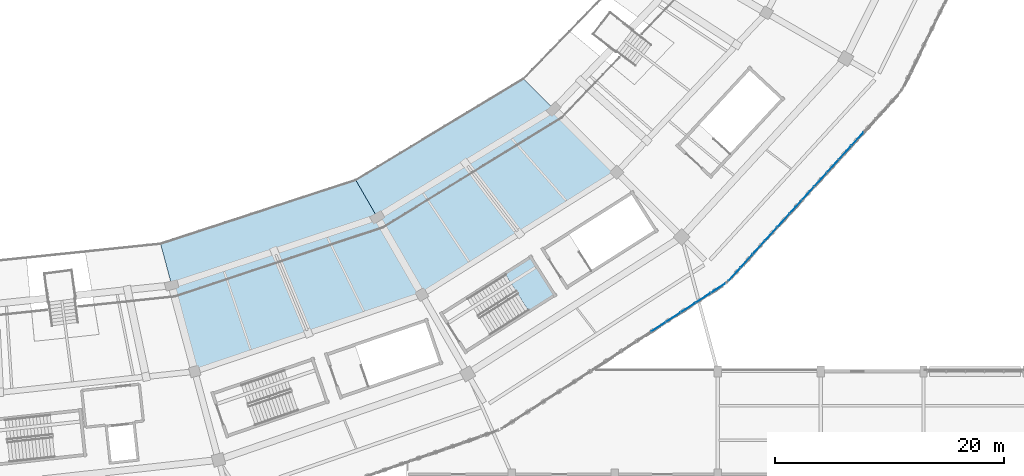
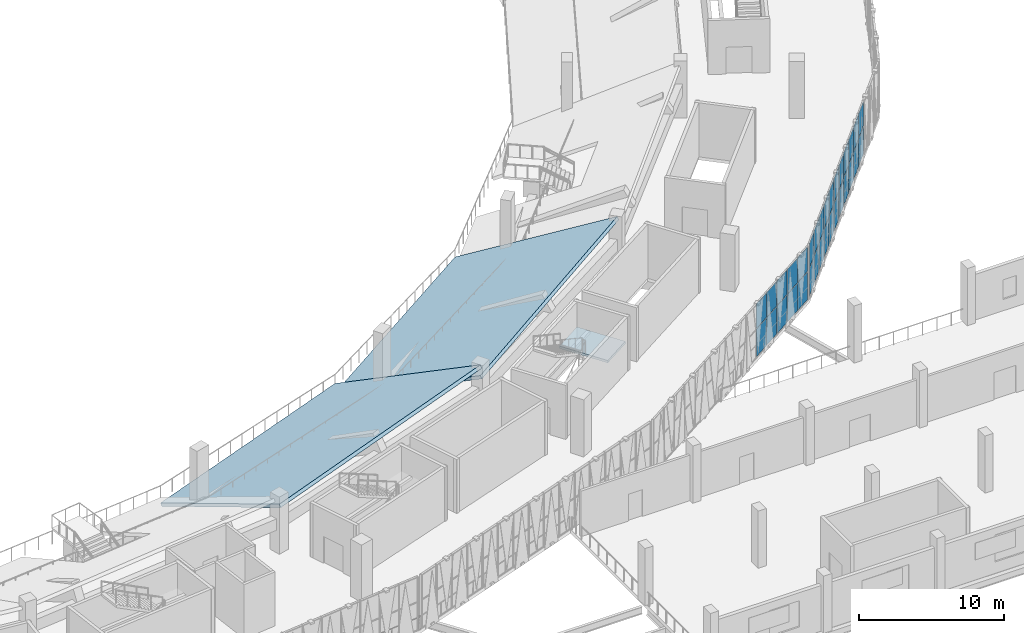
# One storey, part 78 of 152: 32 plates, 3 slabs, 3 elements without a shape of their own.
"""IFC4 building model written with IfcOpenShell, lengths in metres."""

from ifc_helpers import new_model, si_unit, direction, frame, origin, origin_2d, place, context, subcontext, project, spatial, polyline, rectangle, outline, extrude, material, layer, layer_set, type_object, element, aggregate, save


model = new_model("IFC4")

# Units and contexts
model_context = context("Model", 3, precision=1e-05, world=origin(), true_north=direction((0.0, 1.0)))
body_context = subcontext(model_context, "Body", "Model", "MODEL_VIEW")
ifc_project = project(units=[si_unit("LENGTHUNIT", "METRE"), si_unit("AREAUNIT", "SQUARE_METRE"), si_unit("VOLUMEUNIT", "CUBIC_METRE"), si_unit("PLANEANGLEUNIT", "RADIAN"), si_unit("MASSUNIT", "GRAM", prefix="KILO")], contexts=[model_context])

# Site, building, storey
site_placement = place(None, origin())
site = spatial("IfcSite", under=ifc_project, at=site_placement, CompositionType="ELEMENT")
building_placement = place(site_placement, origin())
building = spatial("IfcBuilding", under=site, at=building_placement, Name="Zevraka Park Crest Stadium", CompositionType="ELEMENT")
storey_placement = place(building_placement, frame((0.0, 0.0, 15.0)))
storey = spatial("IfcBuildingStorey", under=building, at=storey_placement, Name="L03", CompositionType="ELEMENT", Elevation=15.0)

# Curtain wall, plates
ifc_material_1 = material(Name="Anodised architectural aluminium and laminated safety glass", Category="aluminium")
curtain_wall_type = type_object("IfcCurtainWallType", Name="CW13", PredefinedType="NOTDEFINED", material=ifc_material_1)
curtain_wall_1_placement = place(storey_placement, origin())
curtain_wall_1 = element("IfcCurtainWall", 1, at=curtain_wall_1_placement, inside=storey, type_object=curtain_wall_type, Name="Unitised Ring Curtain Wall CW13 L03-20", PredefinedType="NOTDEFINED")
ifc_material_2 = material(Name="Solar-control laminated double glazing", Category="glass")
ifc_layer_1 = layer(ifc_material_2, 0.031982421875)
ifc_layer_set_1 = layer_set([ifc_layer_1], Name="Solar-control laminated double glazing")
plate_type = type_object("IfcPlateType", Name="CP13", PredefinedType="CURTAIN_PANEL", material=ifc_layer_set_1)
plate_1_placement = place(storey_placement, frame((173.826904296875, 30.89892578125, 0.06005859375), z_axis=(0.0, 0.0, 1.0), x_axis=(0.839429134517, 0.543469160232, 0.0)))
plate_1 = element("IfcPlate", 2, at=plate_1_placement, type_object=plate_type, Name="CW13 panel 11.1", PredefinedType="CURTAIN_PANEL", context=body_context, shape_type="SweptSolid", body=[
    extrude(rectangle(XDim=1.500244140625, YDim=0.031982421875, at=origin_2d()), origin(), (0.0, 0.0, 1.0), 2.31005859375),
])
plate_2_placement = place(storey_placement, frame((173.826904296875, 30.89892578125, 2.43017578125), z_axis=(0.0, 0.0, 1.0), x_axis=(0.839429134517, 0.543469160232, 0.0)))
plate_2 = element("IfcPlate", 3, at=plate_2_placement, type_object=plate_type, Name="CW13 panel 11.2", PredefinedType="CURTAIN_PANEL", context=body_context, shape_type="SweptSolid", body=[
    extrude(rectangle(XDim=1.500244140625, YDim=0.031982421875, at=origin_2d()), origin(), (0.0, 0.0, 1.0), 2.050048828125),
])
plate_3_placement = place(storey_placement, frame((175.13671875, 31.7470703125, 0.06005859375), z_axis=(0.0, 0.0, 1.0), x_axis=(0.839429134517, 0.543469160232, 0.0)))
plate_3 = element("IfcPlate", 4, at=plate_3_placement, type_object=plate_type, Name="CW13 panel 12.1", PredefinedType="CURTAIN_PANEL", context=body_context, shape_type="SweptSolid", body=[
    extrude(rectangle(XDim=1.500244140625, YDim=0.031982421875, at=origin_2d()), origin(), (0.0, 0.0, 1.0), 2.31005859375),
])
plate_4_placement = place(storey_placement, frame((175.13671875, 31.7470703125, 2.43017578125), z_axis=(0.0, 0.0, 1.0), x_axis=(0.839429134517, 0.543469160232, 0.0)))
plate_4 = element("IfcPlate", 5, at=plate_4_placement, type_object=plate_type, Name="CW13 panel 12.2", PredefinedType="CURTAIN_PANEL", context=body_context, shape_type="SweptSolid", body=[
    extrude(rectangle(XDim=1.500244140625, YDim=0.031982421875, at=origin_2d()), origin(), (0.0, 0.0, 1.0), 2.050048828125),
])
plate_5_placement = place(storey_placement, frame((176.446533203125, 32.594970703125, 0.06005859375), z_axis=(0.0, 0.0, 1.0), x_axis=(0.839429134517, 0.543469160232, 0.0)))
plate_5 = element("IfcPlate", 6, at=plate_5_placement, type_object=plate_type, Name="CW13 panel 13.1", PredefinedType="CURTAIN_PANEL", context=body_context, shape_type="SweptSolid", body=[
    extrude(rectangle(XDim=1.500244140625, YDim=0.031982421875, at=origin_2d()), origin(), (0.0, 0.0, 1.0), 2.31005859375),
])
plate_6_placement = place(storey_placement, frame((176.446533203125, 32.594970703125, 2.43017578125), z_axis=(0.0, 0.0, 1.0), x_axis=(0.839429134517, 0.543469160232, 0.0)))
plate_6 = element("IfcPlate", 7, at=plate_6_placement, type_object=plate_type, Name="CW13 panel 13.2", PredefinedType="CURTAIN_PANEL", context=body_context, shape_type="SweptSolid", body=[
    extrude(rectangle(XDim=1.500244140625, YDim=0.031982421875, at=origin_2d()), origin(), (0.0, 0.0, 1.0), 2.050048828125),
])
plate_7_placement = place(storey_placement, frame((177.75634765625, 33.443115234375, 0.06005859375), z_axis=(0.0, 0.0, 1.0), x_axis=(0.839429134517, 0.543469160232, 0.0)))
plate_7 = element("IfcPlate", 8, at=plate_7_placement, type_object=plate_type, Name="CW13 panel 14.1", PredefinedType="CURTAIN_PANEL", context=body_context, shape_type="SweptSolid", body=[
    extrude(rectangle(XDim=1.500244140625, YDim=0.031982421875, at=origin_2d()), origin(), (0.0, 0.0, 1.0), 2.31005859375),
])
plate_8_placement = place(storey_placement, frame((177.75634765625, 33.443115234375, 2.43017578125), z_axis=(0.0, 0.0, 1.0), x_axis=(0.839429134517, 0.543469160232, 0.0)))
plate_8 = element("IfcPlate", 9, at=plate_8_placement, type_object=plate_type, Name="CW13 panel 14.2", PredefinedType="CURTAIN_PANEL", context=body_context, shape_type="SweptSolid", body=[
    extrude(rectangle(XDim=1.500244140625, YDim=0.031982421875, at=origin_2d()), origin(), (0.0, 0.0, 1.0), 2.050048828125),
])
plate_9_placement = place(storey_placement, frame((179.053466796875, 34.282958984375, 0.06005859375), z_axis=(0.0, 0.0, 1.0), x_axis=(0.839429134517, 0.543469160232, 0.0)))
plate_9 = element("IfcPlate", 10, at=plate_9_placement, type_object=plate_type, Name="CW13 panel 15.1", PredefinedType="CURTAIN_PANEL", context=body_context, shape_type="SweptSolid", body=[
    extrude(rectangle(XDim=1.470458984375, YDim=0.031982421875, at=origin_2d()), origin(), (0.0, 0.0, 1.0), 2.31005859375),
])
plate_10_placement = place(storey_placement, frame((179.053466796875, 34.282958984375, 2.43017578125), z_axis=(0.0, 0.0, 1.0), x_axis=(0.839429134517, 0.543469160232, 0.0)))
plate_10 = element("IfcPlate", 11, at=plate_10_placement, type_object=plate_type, Name="CW13 panel 15.2", PredefinedType="CURTAIN_PANEL", context=body_context, shape_type="SweptSolid", body=[
    extrude(rectangle(XDim=1.470458984375, YDim=0.031982421875, at=origin_2d()), origin(), (0.0, 0.0, 1.0), 2.050048828125),
])
aggregate(curtain_wall_1, [plate_1, plate_2, plate_3, plate_4, plate_5, plate_6, plate_7, plate_8, plate_9, plate_10])

curtain_wall_2_placement = place(storey_placement, origin())
curtain_wall_2 = element("IfcCurtainWall", 12, at=curtain_wall_2_placement, inside=storey, type_object=curtain_wall_type, Name="Unitised Ring Curtain Wall CW13 L03-21", PredefinedType="NOTDEFINED")
plate_11_placement = place(storey_placement, frame((180.46533203125, 35.48388671875, 0.06005859375), z_axis=(0.0, 0.0, 1.0), x_axis=(0.672801685845, 0.739822878481, 0.0)))
plate_11 = element("IfcPlate", 13, at=plate_11_placement, type_object=plate_type, Name="CW13 panel 1.1", PredefinedType="CURTAIN_PANEL", context=body_context, shape_type="SweptSolid", body=[
    extrude(rectangle(XDim=1.509765625, YDim=0.031982421875, at=origin_2d()), origin(), (0.0, 0.0, 1.0), 2.31005859375),
])
plate_12_placement = place(storey_placement, frame((180.46533203125, 35.48388671875, 2.43017578125), z_axis=(0.0, 0.0, 1.0), x_axis=(0.672801685845, 0.739822878481, 0.0)))
plate_12 = element("IfcPlate", 14, at=plate_12_placement, type_object=plate_type, Name="CW13 panel 1.2", PredefinedType="CURTAIN_PANEL", context=body_context, shape_type="SweptSolid", body=[
    extrude(rectangle(XDim=1.509765625, YDim=0.031982421875, at=origin_2d()), origin(), (0.0, 0.0, 1.0), 2.050048828125),
])
plate_13_placement = place(storey_placement, frame((181.531494140625, 36.65625, 0.06005859375), z_axis=(0.0, 0.0, 1.0), x_axis=(0.672801685845, 0.739822878481, 0.0)))
plate_13 = element("IfcPlate", 15, at=plate_13_placement, type_object=plate_type, Name="CW13 panel 2.1", PredefinedType="CURTAIN_PANEL", context=body_context, shape_type="SweptSolid", body=[
    extrude(rectangle(XDim=1.539794921875, YDim=0.031982421875, at=origin_2d()), origin(), (0.0, 0.0, 1.0), 2.31005859375),
])
plate_14_placement = place(storey_placement, frame((181.531494140625, 36.65625, 2.43017578125), z_axis=(0.0, 0.0, 1.0), x_axis=(0.672801685845, 0.739822878481, 0.0)))
plate_14 = element("IfcPlate", 16, at=plate_14_placement, type_object=plate_type, Name="CW13 panel 2.2", PredefinedType="CURTAIN_PANEL", context=body_context, shape_type="SweptSolid", body=[
    extrude(rectangle(XDim=1.539794921875, YDim=0.031982421875, at=origin_2d()), origin(), (0.0, 0.0, 1.0), 2.050048828125),
])
plate_15_placement = place(storey_placement, frame((182.607666015625, 37.83984375, 0.06005859375), z_axis=(0.0, 0.0, 1.0), x_axis=(0.672801685845, 0.739822878481, 0.0)))
plate_15 = element("IfcPlate", 17, at=plate_15_placement, type_object=plate_type, Name="CW13 panel 3.1", PredefinedType="CURTAIN_PANEL", context=body_context, shape_type="SweptSolid", body=[
    extrude(rectangle(XDim=1.539794921875, YDim=0.031982421875, at=origin_2d()), origin(), (0.0, 0.0, 1.0), 2.31005859375),
])
plate_16_placement = place(storey_placement, frame((182.607666015625, 37.83984375, 2.43017578125), z_axis=(0.0, 0.0, 1.0), x_axis=(0.672801685845, 0.739822878481, 0.0)))
plate_16 = element("IfcPlate", 18, at=plate_16_placement, type_object=plate_type, Name="CW13 panel 3.2", PredefinedType="CURTAIN_PANEL", context=body_context, shape_type="SweptSolid", body=[
    extrude(rectangle(XDim=1.539794921875, YDim=0.031982421875, at=origin_2d()), origin(), (0.0, 0.0, 1.0), 2.050048828125),
])
plate_17_placement = place(storey_placement, frame((183.68408203125, 39.023193359375, 0.06005859375), z_axis=(0.0, 0.0, 1.0), x_axis=(0.672801685845, 0.739822878481, 0.0)))
plate_17 = element("IfcPlate", 19, at=plate_17_placement, type_object=plate_type, Name="CW13 panel 4.1", PredefinedType="CURTAIN_PANEL", context=body_context, shape_type="SweptSolid", body=[
    extrude(rectangle(XDim=1.539794921875, YDim=0.031982421875, at=origin_2d()), origin(), (0.0, 0.0, 1.0), 2.31005859375),
])
plate_18_placement = place(storey_placement, frame((183.68408203125, 39.023193359375, 2.43017578125), z_axis=(0.0, 0.0, 1.0), x_axis=(0.672801685845, 0.739822878481, 0.0)))
plate_18 = element("IfcPlate", 20, at=plate_18_placement, type_object=plate_type, Name="CW13 panel 4.2", PredefinedType="CURTAIN_PANEL", context=body_context, shape_type="SweptSolid", body=[
    extrude(rectangle(XDim=1.539794921875, YDim=0.031982421875, at=origin_2d()), origin(), (0.0, 0.0, 1.0), 2.050048828125),
])
plate_19_placement = place(storey_placement, frame((184.76025390625, 40.206787109375, 0.06005859375), z_axis=(0.0, 0.0, 1.0), x_axis=(0.672801685845, 0.739822878481, 0.0)))
plate_19 = element("IfcPlate", 21, at=plate_19_placement, type_object=plate_type, Name="CW13 panel 5.1", PredefinedType="CURTAIN_PANEL", context=body_context, shape_type="SweptSolid", body=[
    extrude(rectangle(XDim=1.539794921875, YDim=0.031982421875, at=origin_2d()), origin(), (0.0, 0.0, 1.0), 2.31005859375),
])
plate_20_placement = place(storey_placement, frame((184.76025390625, 40.206787109375, 2.43017578125), z_axis=(0.0, 0.0, 1.0), x_axis=(0.672801685845, 0.739822878481, 0.0)))
plate_20 = element("IfcPlate", 22, at=plate_20_placement, type_object=plate_type, Name="CW13 panel 5.2", PredefinedType="CURTAIN_PANEL", context=body_context, shape_type="SweptSolid", body=[
    extrude(rectangle(XDim=1.539794921875, YDim=0.031982421875, at=origin_2d()), origin(), (0.0, 0.0, 1.0), 2.050048828125),
])
plate_21_placement = place(storey_placement, frame((185.836669921875, 41.39013671875, 0.06005859375), z_axis=(0.0, 0.0, 1.0), x_axis=(0.672801685845, 0.739822878481, 0.0)))
plate_21 = element("IfcPlate", 23, at=plate_21_placement, type_object=plate_type, Name="CW13 panel 6.1", PredefinedType="CURTAIN_PANEL", context=body_context, shape_type="SweptSolid", body=[
    extrude(rectangle(XDim=1.539794921875, YDim=0.031982421875, at=origin_2d()), origin(), (0.0, 0.0, 1.0), 2.31005859375),
])
plate_22_placement = place(storey_placement, frame((185.836669921875, 41.39013671875, 2.43017578125), z_axis=(0.0, 0.0, 1.0), x_axis=(0.672801685845, 0.739822878481, 0.0)))
plate_22 = element("IfcPlate", 24, at=plate_22_placement, type_object=plate_type, Name="CW13 panel 6.2", PredefinedType="CURTAIN_PANEL", context=body_context, shape_type="SweptSolid", body=[
    extrude(rectangle(XDim=1.539794921875, YDim=0.031982421875, at=origin_2d()), origin(), (0.0, 0.0, 1.0), 2.050048828125),
])
plate_23_placement = place(storey_placement, frame((186.912841796875, 42.57373046875, 0.06005859375), z_axis=(0.0, 0.0, 1.0), x_axis=(0.672801685845, 0.739822878481, 0.0)))
plate_23 = element("IfcPlate", 25, at=plate_23_placement, type_object=plate_type, Name="CW13 panel 7.1", PredefinedType="CURTAIN_PANEL", context=body_context, shape_type="SweptSolid", body=[
    extrude(rectangle(XDim=1.539794921875, YDim=0.031982421875, at=origin_2d()), origin(), (0.0, 0.0, 1.0), 2.31005859375),
])
plate_24_placement = place(storey_placement, frame((186.912841796875, 42.57373046875, 2.43017578125), z_axis=(0.0, 0.0, 1.0), x_axis=(0.672801685845, 0.739822878481, 0.0)))
plate_24 = element("IfcPlate", 26, at=plate_24_placement, type_object=plate_type, Name="CW13 panel 7.2", PredefinedType="CURTAIN_PANEL", context=body_context, shape_type="SweptSolid", body=[
    extrude(rectangle(XDim=1.539794921875, YDim=0.031982421875, at=origin_2d()), origin(), (0.0, 0.0, 1.0), 2.050048828125),
])
plate_25_placement = place(storey_placement, frame((187.9892578125, 43.75732421875, 0.06005859375), z_axis=(0.0, 0.0, 1.0), x_axis=(0.672801685845, 0.739822878481, 0.0)))
plate_25 = element("IfcPlate", 27, at=plate_25_placement, type_object=plate_type, Name="CW13 panel 8.1", PredefinedType="CURTAIN_PANEL", context=body_context, shape_type="SweptSolid", body=[
    extrude(rectangle(XDim=1.539794921875, YDim=0.031982421875, at=origin_2d()), origin(), (0.0, 0.0, 1.0), 2.31005859375),
])
plate_26_placement = place(storey_placement, frame((187.9892578125, 43.75732421875, 2.43017578125), z_axis=(0.0, 0.0, 1.0), x_axis=(0.672801685845, 0.739822878481, 0.0)))
plate_26 = element("IfcPlate", 28, at=plate_26_placement, type_object=plate_type, Name="CW13 panel 8.2", PredefinedType="CURTAIN_PANEL", context=body_context, shape_type="SweptSolid", body=[
    extrude(rectangle(XDim=1.539794921875, YDim=0.031982421875, at=origin_2d()), origin(), (0.0, 0.0, 1.0), 2.050048828125),
])
plate_27_placement = place(storey_placement, frame((189.0654296875, 44.940673828125, 0.06005859375), z_axis=(0.0, 0.0, 1.0), x_axis=(0.672801685845, 0.739822878481, 0.0)))
plate_27 = element("IfcPlate", 29, at=plate_27_placement, type_object=plate_type, Name="CW13 panel 9.1", PredefinedType="CURTAIN_PANEL", context=body_context, shape_type="SweptSolid", body=[
    extrude(rectangle(XDim=1.539794921875, YDim=0.031982421875, at=origin_2d()), origin(), (0.0, 0.0, 1.0), 2.31005859375),
])
plate_28_placement = place(storey_placement, frame((189.0654296875, 44.940673828125, 2.43017578125), z_axis=(0.0, 0.0, 1.0), x_axis=(0.672801685845, 0.739822878481, 0.0)))
plate_28 = element("IfcPlate", 30, at=plate_28_placement, type_object=plate_type, Name="CW13 panel 9.2", PredefinedType="CURTAIN_PANEL", context=body_context, shape_type="SweptSolid", body=[
    extrude(rectangle(XDim=1.539794921875, YDim=0.031982421875, at=origin_2d()), origin(), (0.0, 0.0, 1.0), 2.050048828125),
])
plate_29_placement = place(storey_placement, frame((190.1416015625, 46.124267578125, 0.06005859375), z_axis=(0.0, 0.0, 1.0), x_axis=(0.672801685845, 0.739822878481, 0.0)))
plate_29 = element("IfcPlate", 31, at=plate_29_placement, type_object=plate_type, Name="CW13 panel 10.1", PredefinedType="CURTAIN_PANEL", context=body_context, shape_type="SweptSolid", body=[
    extrude(rectangle(XDim=1.539794921875, YDim=0.031982421875, at=origin_2d()), origin(), (0.0, 0.0, 1.0), 2.31005859375),
])
plate_30_placement = place(storey_placement, frame((190.1416015625, 46.124267578125, 2.43017578125), z_axis=(0.0, 0.0, 1.0), x_axis=(0.672801685845, 0.739822878481, 0.0)))
plate_30 = element("IfcPlate", 32, at=plate_30_placement, type_object=plate_type, Name="CW13 panel 10.2", PredefinedType="CURTAIN_PANEL", context=body_context, shape_type="SweptSolid", body=[
    extrude(rectangle(XDim=1.539794921875, YDim=0.031982421875, at=origin_2d()), origin(), (0.0, 0.0, 1.0), 2.050048828125),
])
plate_31_placement = place(storey_placement, frame((191.218017578125, 47.307861328125, 0.06005859375), z_axis=(0.0, 0.0, 1.0), x_axis=(0.672801685845, 0.739822878481, 0.0)))
plate_31 = element("IfcPlate", 33, at=plate_31_placement, type_object=plate_type, Name="CW13 panel 11.1", PredefinedType="CURTAIN_PANEL", context=body_context, shape_type="SweptSolid", body=[
    extrude(rectangle(XDim=1.539794921875, YDim=0.031982421875, at=origin_2d()), origin(), (0.0, 0.0, 1.0), 2.31005859375),
])
plate_32_placement = place(storey_placement, frame((191.218017578125, 47.307861328125, 2.43017578125), z_axis=(0.0, 0.0, 1.0), x_axis=(0.672801685845, 0.739822878481, 0.0)))
plate_32 = element("IfcPlate", 34, at=plate_32_placement, type_object=plate_type, Name="CW13 panel 11.2", PredefinedType="CURTAIN_PANEL", context=body_context, shape_type="SweptSolid", body=[
    extrude(rectangle(XDim=1.539794921875, YDim=0.031982421875, at=origin_2d()), origin(), (0.0, 0.0, 1.0), 2.050048828125),
])
aggregate(curtain_wall_2, [plate_11, plate_12, plate_13, plate_14, plate_15, plate_16, plate_17, plate_18, plate_19, plate_20, plate_21, plate_22, plate_23, plate_24, plate_25, plate_26, plate_27, plate_28, plate_29, plate_30, plate_31, plate_32])

# Stair, slab
ifc_material_3 = material(Name="Concrete C35/45", Category="concrete")
stair_type = type_object("IfcStairType", Name="STA2", PredefinedType="HALF_TURN_STAIR", material=ifc_material_3)
stair_placement = place(storey_placement, origin())
stair = element("IfcStair", 35, at=stair_placement, inside=storey, type_object=stair_type, Name="L03 Protected Concourse Exit Stair ST21", PredefinedType="HALF_TURN_STAIR")
ifc_material_4 = material(Name="Concrete C35/45", Category="concrete")
ifc_layer_2 = layer(ifc_material_4, 0.199951171875)
ifc_layer_set_2 = layer_set([ifc_layer_2], Name="Concrete C35/45")
slab_type_1 = type_object("IfcSlabType", Name="LS01", PredefinedType="LANDING", material=ifc_layer_set_2)
slab_1_placement = place(storey_placement, frame((0.0, 0.0, 2.199951171875)))
slab_1 = element("IfcSlab", 36, at=slab_1_placement, type_object=slab_type_1, Name="ST21 landing 1", PredefinedType="LANDING", context=body_context, shape_type="SweptSolid", body=[
    extrude(outline(polyline([(162.458984375, 32.30810546875), (164.662841796875, 33.706298828125), (162.6484375, 36.881103515625), (160.444580078125, 35.48291015625), (162.458984375, 32.30810546875)])), origin(), (0.0, 0.0, 1.0), 0.199951171875),
])
aggregate(stair, [slab_1])

# Slabs
ifc_material_5 = material(Name="Concrete C35/45", Category="concrete")
ifc_layer_3 = layer(ifc_material_5, 0.27001953125)
ifc_layer_set_3 = layer_set([ifc_layer_3], Name="Concrete C35/45")
slab_type_2 = type_object("IfcSlabType", Name="STU1", PredefinedType="USERDEFINED", material=ifc_layer_set_3)
slab_2_placement = place(storey_placement, frame((130.31103515625, 38.14990234375, -1.83935546875), z_axis=(-0.168378693014, 0.406482410926, 0.898009279099), x_axis=(0.949973037771, 0.310038083105, 0.037783786636)))
element("IfcSlab", 37, at=slab_2_placement, inside=storey, type_object=slab_type_2, Name="Upper Tier Cantilevered Raked Seating Slab 19", ObjectType="SEATING TIER", PredefinedType="USERDEFINED", context=body_context, shape_type="SweptSolid", body=[
    extrude(outline(polyline([(0.0, 0.0), (17.962581333625103, 7.216449660063518e-16), (20.55928326115344, -12.575532698699957), (-0.40668056195045876, -12.834891235849575), (0.0, 0.0)])), origin(), (0.0, 0.0, -1.0), 0.27001953125),
])
slab_3_placement = place(storey_placement, frame((147.375, 43.718994140625, -1.953857421875), z_axis=(-0.263416225541, 0.343298909206, 0.901530782092), x_axis=(0.854531553234, 0.516695683115, 0.05292821155)))
element("IfcSlab", 38, at=slab_3_placement, inside=storey, type_object=slab_type_2, Name="Upper Tier Cantilevered Raked Seating Slab 20", ObjectType="SEATING TIER", PredefinedType="USERDEFINED", context=body_context, shape_type="SweptSolid", body=[
    extrude(outline(polyline([(0.0, 0.0), (17.14753892090291, 1.1657341758564144e-15), (20.19754024552819, -12.421918579282584), (0.05728993810500249, -12.791295137027804), (0.0, 0.0)])), origin(), (0.0, 0.0, -1.0), 0.27001953125),
])

save(model, "model.ifc")
